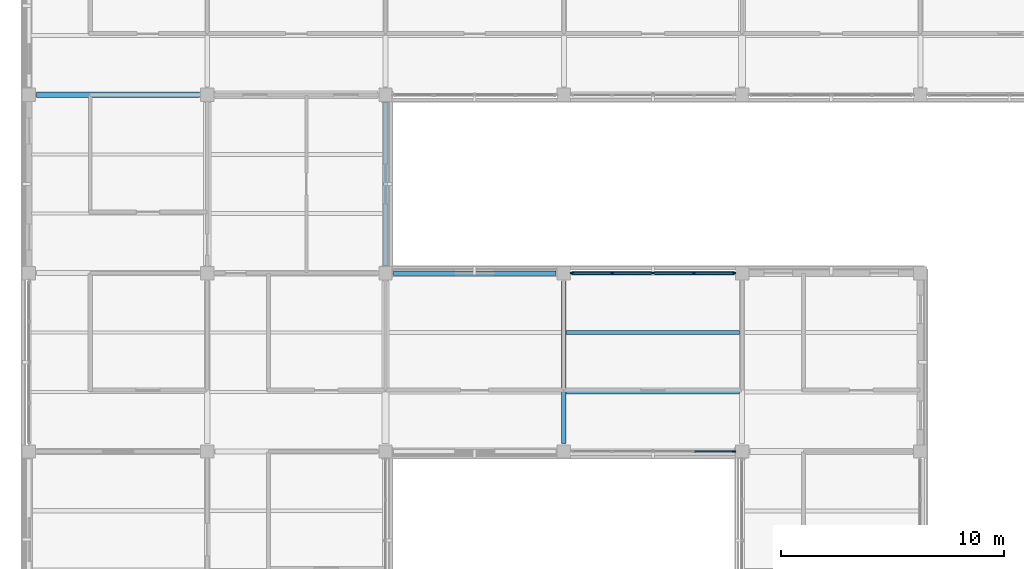
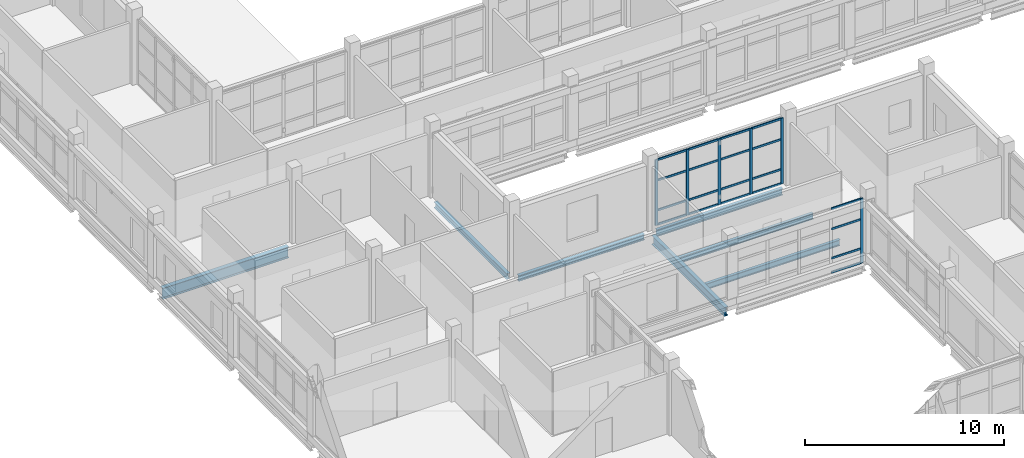
# One storey, part 14 of 121: 26 members, 7 beams, 2 elements without a shape of their own.
"""IFC4 building model written with IfcOpenShell, lengths in metres."""

from ifc_helpers import new_model, si_unit, derived_unit, direction, frame, origin, origin_2d, place, context, subcontext, project, spatial, rectangle, i_section, extrude, material, layer, layer_set, material_profile, profile_set, type_object, element, aggregate, save


model = new_model("IFC4")

# Units and contexts
model_context = context("Model", 3, precision=1e-05, world=origin(), true_north=direction((0.0, 1.0)))
body_context = subcontext(model_context, "Body", "Model", "MODEL_VIEW")
ifc_project = project(units=[si_unit("LENGTHUNIT", "METRE"), si_unit("AREAUNIT", "SQUARE_METRE"), si_unit("VOLUMEUNIT", "CUBIC_METRE"), si_unit("PLANEANGLEUNIT", "RADIAN"), si_unit("MASSUNIT", "GRAM", prefix="KILO"), derived_unit("THERMALTRANSMITTANCEUNIT", [(si_unit("MASSUNIT", "GRAM", prefix="KILO"), 1), (si_unit("TIMEUNIT", "SECOND"), -3), (si_unit("THERMODYNAMICTEMPERATUREUNIT", "KELVIN"), -1)])], contexts=[model_context])

# Site, building, storey
site_placement = place(None, origin())
site = spatial("IfcSite", under=ifc_project, at=site_placement, CompositionType="ELEMENT")
building_placement = place(site_placement, origin())
building = spatial("IfcBuilding", under=site, at=building_placement, Name="Veyamyaing Civic Hall", CompositionType="ELEMENT")
storey_placement = place(building_placement, frame((0.0, 0.0, 5.280029296875)))
storey = spatial("IfcBuildingStorey", under=building, at=storey_placement, Name="L01", CompositionType="ELEMENT", Elevation=5.280029296875)

# Beams
ifc_material_1 = material(Name="Steel ASTM A992", Category="steel")
ifc_material_profile_1 = material_profile(ifc_material_1, i_section(OverallWidth=0.2041015625, OverallDepth=0.35009765625, WebThickness=0.0078125, FlangeThickness=0.01513671875, FilletRadius=0.010009765625, at=origin_2d()), Name="W360X72")
ifc_profile_set_1 = profile_set([ifc_material_profile_1], Name="Steel ASTM A992")
beam_type_1 = type_object("IfcBeamType", Name="B-11", PredefinedType="SPANDREL", material=ifc_profile_set_1)
for number, where, z_axis, x_axis, name in (
    (1, (16.35009765625, 40.0, -0.419921875), (1.0, 0.0, 0.0), (0.0, 1.0, 0.0), "Girder B-11 L01 Grid F 3-4"),
    (2, (16.0, 40.35009765625, -0.419921875), (0.0, 1.0, 0.0), (-1.0, 0.0, 0.0), "Girder B-11 L01 Grid 3 F-G"),
):
    element("IfcBeam", number, at=place(storey_placement, frame(where, z_axis=z_axis, x_axis=x_axis)), inside=storey, type_object=beam_type_1, Name=name, PredefinedType="SPANDREL", context=body_context, shape_type="SweptSolid", body=[
        extrude(i_section(OverallWidth=0.2041015625, OverallDepth=0.35009765625, WebThickness=0.0078125, FlangeThickness=0.01513671875, FilletRadius=0.010009765625, at=origin_2d()), origin(), (0.0, 0.0, 1.0), 7.2998046875),
    ])
ifc_material_profile_2 = material_profile(ifc_material_1, i_section(OverallWidth=0.25390625, OverallDepth=0.68408203125, WebThickness=0.012451171875, FlangeThickness=0.01904296875, FilletRadius=0.013916015625, at=origin_2d()), Name="W690X140")
ifc_profile_set_2 = profile_set([ifc_material_profile_2], Name="Steel ASTM A992")
beam_type_2 = type_object("IfcBeamType", Name="B-14", PredefinedType="BEAM", material=ifc_profile_set_2)
beam_1_placement = place(storey_placement, frame((0.35009765625, 48.0, -0.5869140625), z_axis=(1.0, 0.0, 0.0), x_axis=(0.0, 1.0, 0.0)))
element("IfcBeam", 3, at=beam_1_placement, inside=storey, type_object=beam_type_2, Name="Girder B-14 L01 Grid G 1-2", PredefinedType="BEAM", context=body_context, shape_type="SweptSolid", body=[
    extrude(i_section(OverallWidth=0.25390625, OverallDepth=0.68408203125, WebThickness=0.012451171875, FlangeThickness=0.01904296875, FilletRadius=0.013916015625, at=origin_2d()), origin(), (0.0, 0.0, 1.0), 7.2998046875),
])
ifc_material_profile_3 = material_profile(ifc_material_1, i_section(OverallWidth=0.214111328125, OverallDepth=0.549072265625, WebThickness=0.0146484375, FlangeThickness=0.023681640625, FilletRadius=0.011962890625, at=origin_2d()), Name="W530X138")
ifc_profile_set_3 = profile_set([ifc_material_profile_3], Name="Steel ASTM A992")
beam_type_3 = type_object("IfcBeamType", Name="B-16", PredefinedType="BEAM", material=ifc_profile_set_3)
beam_2_placement = place(storey_placement, frame((24.0, 32.35009765625, -0.51953125), z_axis=(0.0, 1.0, 0.0), x_axis=(-1.0, 0.0, 0.0)))
element("IfcBeam", 4, at=beam_2_placement, inside=storey, type_object=beam_type_3, Name="Girder B-16 L01 Grid 4 E-F", PredefinedType="BEAM", context=body_context, shape_type="SweptSolid", body=[
    extrude(i_section(OverallWidth=0.214111328125, OverallDepth=0.549072265625, WebThickness=0.0146484375, FlangeThickness=0.023681640625, FilletRadius=0.011962890625, at=origin_2d()), origin(), (0.0, 0.0, 1.0), 7.2998046875),
])
ifc_material_profile_4 = material_profile(ifc_material_1, i_section(OverallWidth=0.180908203125, OverallDepth=0.4169921875, WebThickness=0.010986328125, FlangeThickness=0.018310546875, FilletRadius=0.010009765625, at=origin_2d()), Name="W410X85")
ifc_profile_set_4 = profile_set([ifc_material_profile_4], Name="Steel ASTM A992")
beam_type_4 = type_object("IfcBeamType", Name="B-19", PredefinedType="SPANDREL", material=ifc_profile_set_4)
beam_3_placement = place(storey_placement, frame((24.35009765625, 40.0, -0.45361328125), z_axis=(1.0, 0.0, 0.0), x_axis=(0.0, 1.0, 0.0)))
element("IfcBeam", 5, at=beam_3_placement, inside=storey, type_object=beam_type_4, Name="Girder B-19 L01 Grid F 4-5", PredefinedType="SPANDREL", context=body_context, shape_type="SweptSolid", body=[
    extrude(i_section(OverallWidth=0.180908203125, OverallDepth=0.4169921875, WebThickness=0.010986328125, FlangeThickness=0.018310546875, FilletRadius=0.010009765625, at=origin_2d()), origin(), (0.0, 0.0, 1.0), 7.2998046875),
])

# Curtain wall, member
ifc_material_2 = material(Name="Anodised aluminium 6063-T6", Category="aluminium")
ifc_layer = layer(ifc_material_2, 0.159912109375, Name="Anodised aluminium 6063-T6")
ifc_layer_set = layer_set([ifc_layer], Name="Anodised aluminium 6063-T6")
curtain_wall_type = type_object("IfcCurtainWallType", Name="CW-02", PredefinedType="NOTDEFINED", material=ifc_layer_set)
curtain_wall_1_placement = place(storey_placement, origin())
curtain_wall_1 = element("IfcCurtainWall", 6, at=curtain_wall_1_placement, inside=storey, type_object=curtain_wall_type, Name="Unitized curtain wall CW-02 L01 S 4.5", PredefinedType="NOTDEFINED")
ifc_material_profile_5 = material_profile(ifc_material_2, rectangle(XDim=0.06494140625, YDim=0.159912109375, at=origin_2d()), Name="ALU-MUL-65X160")
ifc_profile_set_5 = profile_set([ifc_material_profile_5], Name="Anodised aluminium 6063-T6")
member_type_1 = type_object("IfcMemberType", Name="CWM-01", PredefinedType="MULLION", material=ifc_profile_set_5)
member_1_placement = place(storey_placement, frame((31.637451171875, 32.0, 0.0), z_axis=(0.0, 0.0, 1.0), x_axis=(0.0, 1.0, 0.0)))
member_1 = element("IfcMember", 7, at=member_1_placement, type_object=member_type_1, Name="CW-02 mullion 5", PredefinedType="MULLION", context=body_context, shape_type="SweptSolid", body=[
    extrude(rectangle(XDim=0.06494140625, YDim=0.159912109375, at=origin_2d()), origin(), (0.0, 0.0, 1.0), 3.955078125),
])

# Curtain wall, members
curtain_wall_2_placement = place(storey_placement, origin())
curtain_wall_2 = element("IfcCurtainWall", 8, at=curtain_wall_2_placement, inside=storey, type_object=curtain_wall_type, Name="Unitized curtain wall CW-02 L01 N 4.5", PredefinedType="NOTDEFINED")
member_2_placement = place(storey_placement, frame((24.362548828125, 40.0, 0.0), z_axis=(0.0, 0.0, 1.0), x_axis=(0.0, 1.0, 0.0)))
member_2 = element("IfcMember", 9, at=member_2_placement, type_object=member_type_1, Name="CW-02 mullion 1", PredefinedType="MULLION", context=body_context, shape_type="SweptSolid", body=[
    extrude(rectangle(XDim=0.06494140625, YDim=0.159912109375, at=origin_2d()), origin(), (0.0, 0.0, 1.0), 4.01904296875),
])
member_3_placement = place(storey_placement, frame((26.1650390625, 40.0, 0.0), z_axis=(0.0, 0.0, 1.0), x_axis=(0.0, 1.0, 0.0)))
member_3 = element("IfcMember", 10, at=member_3_placement, type_object=member_type_1, Name="CW-02 mullion 2", PredefinedType="MULLION", context=body_context, shape_type="SweptSolid", body=[
    extrude(rectangle(XDim=0.06494140625, YDim=0.159912109375, at=origin_2d()), origin(), (0.0, 0.0, 1.0), 4.01904296875),
])
member_4_placement = place(storey_placement, frame((28.0, 40.0, 0.0), z_axis=(0.0, 0.0, 1.0), x_axis=(0.0, 1.0, 0.0)))
member_4 = element("IfcMember", 11, at=member_4_placement, type_object=member_type_1, Name="CW-02 mullion 3", PredefinedType="MULLION", context=body_context, shape_type="SweptSolid", body=[
    extrude(rectangle(XDim=0.06494140625, YDim=0.159912109375, at=origin_2d()), origin(), (0.0, 0.0, 1.0), 4.01904296875),
])
member_5_placement = place(storey_placement, frame((29.8349609375, 40.0, 0.0), z_axis=(0.0, 0.0, 1.0), x_axis=(0.0, 1.0, 0.0)))
member_5 = element("IfcMember", 12, at=member_5_placement, type_object=member_type_1, Name="CW-02 mullion 4", PredefinedType="MULLION", context=body_context, shape_type="SweptSolid", body=[
    extrude(rectangle(XDim=0.06494140625, YDim=0.159912109375, at=origin_2d()), origin(), (0.0, 0.0, 1.0), 4.01904296875),
])
member_6_placement = place(storey_placement, frame((31.637451171875, 40.0, 0.0), z_axis=(0.0, 0.0, 1.0), x_axis=(0.0, 1.0, 0.0)))
member_6 = element("IfcMember", 13, at=member_6_placement, type_object=member_type_1, Name="CW-02 mullion 5", PredefinedType="MULLION", context=body_context, shape_type="SweptSolid", body=[
    extrude(rectangle(XDim=0.06494140625, YDim=0.159912109375, at=origin_2d()), origin(), (0.0, 0.0, 1.0), 4.01904296875),
])

# Member
ifc_material_profile_6 = material_profile(ifc_material_2, rectangle(XDim=0.06494140625, YDim=0.1201171875, at=origin_2d()), Name="ALU-TRN-65X120")
ifc_profile_set_6 = profile_set([ifc_material_profile_6], Name="Anodised aluminium 6063-T6")
member_type_2 = type_object("IfcMemberType", Name="CWT-01", PredefinedType="USERDEFINED", material=ifc_profile_set_6)
member_7_placement = place(storey_placement, frame((29.867431640625, 32.0, 0.032470703125), z_axis=(1.0, 0.0, 0.0), x_axis=(0.0, 1.0, 0.0)))
member_7 = element("IfcMember", 14, at=member_7_placement, type_object=member_type_2, Name="CW-02 transom 4.1", ObjectType="TRANSOM", PredefinedType="USERDEFINED", context=body_context, shape_type="SweptSolid", body=[
    extrude(rectangle(XDim=0.06494140625, YDim=0.1201171875, at=origin_2d()), origin(), (0.0, 0.0, 1.0), 1.737548828125),
])

member_8_placement = place(storey_placement, frame((29.867431640625, 32.0, 0.89990234375), z_axis=(1.0, 0.0, 0.0), x_axis=(0.0, 1.0, 0.0)))
member_8 = element("IfcMember", 15, at=member_8_placement, type_object=member_type_2, Name="CW-02 transom 4.2", ObjectType="TRANSOM", PredefinedType="USERDEFINED", context=body_context, shape_type="SweptSolid", body=[
    extrude(rectangle(XDim=0.06494140625, YDim=0.1201171875, at=origin_2d()), origin(), (0.0, 0.0, 1.0), 1.737548828125),
])

member_9_placement = place(storey_placement, frame((29.867431640625, 32.0, 2.689453125), z_axis=(1.0, 0.0, 0.0), x_axis=(0.0, 1.0, 0.0)))
member_9 = element("IfcMember", 16, at=member_9_placement, type_object=member_type_2, Name="CW-02 transom 4.3", ObjectType="TRANSOM", PredefinedType="USERDEFINED", context=body_context, shape_type="SweptSolid", body=[
    extrude(rectangle(XDim=0.06494140625, YDim=0.1201171875, at=origin_2d()), origin(), (0.0, 0.0, 1.0), 1.737548828125),
])

member_10_placement = place(storey_placement, frame((29.867431640625, 32.0, 3.92236328125), z_axis=(1.0, 0.0, 0.0), x_axis=(0.0, 1.0, 0.0)))
member_10 = element("IfcMember", 17, at=member_10_placement, type_object=member_type_2, Name="CW-02 transom 4.4", ObjectType="TRANSOM", PredefinedType="USERDEFINED", context=body_context, shape_type="SweptSolid", body=[
    extrude(rectangle(XDim=0.06494140625, YDim=0.1201171875, at=origin_2d()), origin(), (0.0, 0.0, 1.0), 1.737548828125),
])

aggregate(curtain_wall_1, [member_1, member_7, member_8, member_9, member_10])

member_11_placement = place(storey_placement, frame((24.39501953125, 40.0, 0.032470703125), z_axis=(1.0, 0.0, 0.0), x_axis=(0.0, 1.0, 0.0)))
member_11 = element("IfcMember", 18, at=member_11_placement, type_object=member_type_2, Name="CW-02 transom 1.1", ObjectType="TRANSOM", PredefinedType="USERDEFINED", context=body_context, shape_type="SweptSolid", body=[
    extrude(rectangle(XDim=0.06494140625, YDim=0.1201171875, at=origin_2d()), origin(), (0.0, 0.0, 1.0), 1.737548828125),
])

member_12_placement = place(storey_placement, frame((24.39501953125, 40.0, 0.89990234375), z_axis=(1.0, 0.0, 0.0), x_axis=(0.0, 1.0, 0.0)))
member_12 = element("IfcMember", 19, at=member_12_placement, type_object=member_type_2, Name="CW-02 transom 1.2", ObjectType="TRANSOM", PredefinedType="USERDEFINED", context=body_context, shape_type="SweptSolid", body=[
    extrude(rectangle(XDim=0.06494140625, YDim=0.1201171875, at=origin_2d()), origin(), (0.0, 0.0, 1.0), 1.737548828125),
])

member_13_placement = place(storey_placement, frame((24.39501953125, 40.0, 2.73291015625), z_axis=(1.0, 0.0, 0.0), x_axis=(0.0, 1.0, 0.0)))
member_13 = element("IfcMember", 20, at=member_13_placement, type_object=member_type_2, Name="CW-02 transom 1.3", ObjectType="TRANSOM", PredefinedType="USERDEFINED", context=body_context, shape_type="SweptSolid", body=[
    extrude(rectangle(XDim=0.06494140625, YDim=0.1201171875, at=origin_2d()), origin(), (0.0, 0.0, 1.0), 1.737548828125),
])

member_14_placement = place(storey_placement, frame((24.39501953125, 40.0, 3.986572265625), z_axis=(1.0, 0.0, 0.0), x_axis=(0.0, 1.0, 0.0)))
member_14 = element("IfcMember", 21, at=member_14_placement, type_object=member_type_2, Name="CW-02 transom 1.4", ObjectType="TRANSOM", PredefinedType="USERDEFINED", context=body_context, shape_type="SweptSolid", body=[
    extrude(rectangle(XDim=0.06494140625, YDim=0.1201171875, at=origin_2d()), origin(), (0.0, 0.0, 1.0), 1.737548828125),
])

member_15_placement = place(storey_placement, frame((26.197509765625, 40.0, 0.032470703125), z_axis=(1.0, 0.0, 0.0), x_axis=(0.0, 1.0, 0.0)))
member_15 = element("IfcMember", 22, at=member_15_placement, type_object=member_type_2, Name="CW-02 transom 2.1", ObjectType="TRANSOM", PredefinedType="USERDEFINED", context=body_context, shape_type="SweptSolid", body=[
    extrude(rectangle(XDim=0.06494140625, YDim=0.1201171875, at=origin_2d()), origin(), (0.0, 0.0, 1.0), 1.77001953125),
])

member_16_placement = place(storey_placement, frame((26.197509765625, 40.0, 0.89990234375), z_axis=(1.0, 0.0, 0.0), x_axis=(0.0, 1.0, 0.0)))
member_16 = element("IfcMember", 23, at=member_16_placement, type_object=member_type_2, Name="CW-02 transom 2.2", ObjectType="TRANSOM", PredefinedType="USERDEFINED", context=body_context, shape_type="SweptSolid", body=[
    extrude(rectangle(XDim=0.06494140625, YDim=0.1201171875, at=origin_2d()), origin(), (0.0, 0.0, 1.0), 1.77001953125),
])

member_17_placement = place(storey_placement, frame((26.197509765625, 40.0, 2.73291015625), z_axis=(1.0, 0.0, 0.0), x_axis=(0.0, 1.0, 0.0)))
member_17 = element("IfcMember", 24, at=member_17_placement, type_object=member_type_2, Name="CW-02 transom 2.3", ObjectType="TRANSOM", PredefinedType="USERDEFINED", context=body_context, shape_type="SweptSolid", body=[
    extrude(rectangle(XDim=0.06494140625, YDim=0.1201171875, at=origin_2d()), origin(), (0.0, 0.0, 1.0), 1.77001953125),
])

member_18_placement = place(storey_placement, frame((26.197509765625, 40.0, 3.986572265625), z_axis=(1.0, 0.0, 0.0), x_axis=(0.0, 1.0, 0.0)))
member_18 = element("IfcMember", 25, at=member_18_placement, type_object=member_type_2, Name="CW-02 transom 2.4", ObjectType="TRANSOM", PredefinedType="USERDEFINED", context=body_context, shape_type="SweptSolid", body=[
    extrude(rectangle(XDim=0.06494140625, YDim=0.1201171875, at=origin_2d()), origin(), (0.0, 0.0, 1.0), 1.77001953125),
])

member_19_placement = place(storey_placement, frame((28.032470703125, 40.0, 0.032470703125), z_axis=(1.0, 0.0, 0.0), x_axis=(0.0, 1.0, 0.0)))
member_19 = element("IfcMember", 26, at=member_19_placement, type_object=member_type_2, Name="CW-02 transom 3.1", ObjectType="TRANSOM", PredefinedType="USERDEFINED", context=body_context, shape_type="SweptSolid", body=[
    extrude(rectangle(XDim=0.06494140625, YDim=0.1201171875, at=origin_2d()), origin(), (0.0, 0.0, 1.0), 1.77001953125),
])

member_20_placement = place(storey_placement, frame((28.032470703125, 40.0, 0.89990234375), z_axis=(1.0, 0.0, 0.0), x_axis=(0.0, 1.0, 0.0)))
member_20 = element("IfcMember", 27, at=member_20_placement, type_object=member_type_2, Name="CW-02 transom 3.2", ObjectType="TRANSOM", PredefinedType="USERDEFINED", context=body_context, shape_type="SweptSolid", body=[
    extrude(rectangle(XDim=0.06494140625, YDim=0.1201171875, at=origin_2d()), origin(), (0.0, 0.0, 1.0), 1.77001953125),
])

member_21_placement = place(storey_placement, frame((28.032470703125, 40.0, 2.73291015625), z_axis=(1.0, 0.0, 0.0), x_axis=(0.0, 1.0, 0.0)))
member_21 = element("IfcMember", 28, at=member_21_placement, type_object=member_type_2, Name="CW-02 transom 3.3", ObjectType="TRANSOM", PredefinedType="USERDEFINED", context=body_context, shape_type="SweptSolid", body=[
    extrude(rectangle(XDim=0.06494140625, YDim=0.1201171875, at=origin_2d()), origin(), (0.0, 0.0, 1.0), 1.77001953125),
])

member_22_placement = place(storey_placement, frame((28.032470703125, 40.0, 3.986572265625), z_axis=(1.0, 0.0, 0.0), x_axis=(0.0, 1.0, 0.0)))
member_22 = element("IfcMember", 29, at=member_22_placement, type_object=member_type_2, Name="CW-02 transom 3.4", ObjectType="TRANSOM", PredefinedType="USERDEFINED", context=body_context, shape_type="SweptSolid", body=[
    extrude(rectangle(XDim=0.06494140625, YDim=0.1201171875, at=origin_2d()), origin(), (0.0, 0.0, 1.0), 1.77001953125),
])

member_23_placement = place(storey_placement, frame((29.867431640625, 40.0, 0.032470703125), z_axis=(1.0, 0.0, 0.0), x_axis=(0.0, 1.0, 0.0)))
member_23 = element("IfcMember", 30, at=member_23_placement, type_object=member_type_2, Name="CW-02 transom 4.1", ObjectType="TRANSOM", PredefinedType="USERDEFINED", context=body_context, shape_type="SweptSolid", body=[
    extrude(rectangle(XDim=0.06494140625, YDim=0.1201171875, at=origin_2d()), origin(), (0.0, 0.0, 1.0), 1.737548828125),
])

member_24_placement = place(storey_placement, frame((29.867431640625, 40.0, 0.89990234375), z_axis=(1.0, 0.0, 0.0), x_axis=(0.0, 1.0, 0.0)))
member_24 = element("IfcMember", 31, at=member_24_placement, type_object=member_type_2, Name="CW-02 transom 4.2", ObjectType="TRANSOM", PredefinedType="USERDEFINED", context=body_context, shape_type="SweptSolid", body=[
    extrude(rectangle(XDim=0.06494140625, YDim=0.1201171875, at=origin_2d()), origin(), (0.0, 0.0, 1.0), 1.737548828125),
])

member_25_placement = place(storey_placement, frame((29.867431640625, 40.0, 2.73291015625), z_axis=(1.0, 0.0, 0.0), x_axis=(0.0, 1.0, 0.0)))
member_25 = element("IfcMember", 32, at=member_25_placement, type_object=member_type_2, Name="CW-02 transom 4.3", ObjectType="TRANSOM", PredefinedType="USERDEFINED", context=body_context, shape_type="SweptSolid", body=[
    extrude(rectangle(XDim=0.06494140625, YDim=0.1201171875, at=origin_2d()), origin(), (0.0, 0.0, 1.0), 1.737548828125),
])

member_26_placement = place(storey_placement, frame((29.867431640625, 40.0, 3.986572265625), z_axis=(1.0, 0.0, 0.0), x_axis=(0.0, 1.0, 0.0)))
member_26 = element("IfcMember", 33, at=member_26_placement, type_object=member_type_2, Name="CW-02 transom 4.4", ObjectType="TRANSOM", PredefinedType="USERDEFINED", context=body_context, shape_type="SweptSolid", body=[
    extrude(rectangle(XDim=0.06494140625, YDim=0.1201171875, at=origin_2d()), origin(), (0.0, 0.0, 1.0), 1.737548828125),
])

aggregate(curtain_wall_2, [member_2, member_3, member_4, member_5, member_6, member_11, member_12, member_13, member_14, member_15, member_16, member_17, member_18, member_19, member_20, member_21, member_22, member_23, member_24, member_25, member_26])

# Beams
ifc_material_profile_7 = material_profile(ifc_material_1, i_section(OverallWidth=0.172119140625, OverallDepth=0.35791015625, WebThickness=0.0078125, FlangeThickness=0.01318359375, FilletRadius=0.010009765625, at=origin_2d()), Name="W360X57")
ifc_profile_set_7 = profile_set([ifc_material_profile_7], Name="Steel ASTM A992")
beam_type_5 = type_object("IfcBeamType", Name="J-02", PredefinedType="JOIST", material=ifc_profile_set_7)
for number, where, z_axis, x_axis, name in (
    (34, (24.10498046875, 34.666748046875, -0.424072265625), (1.0, 0.0, 0.0), (0.0, 1.0, 0.0), "Composite floor joist J-02 L01 4.5.1"),
    (35, (24.10498046875, 37.333251953125, -0.424072265625), (1.0, 0.0, 0.0), (0.0, 1.0, 0.0), "Composite floor joist J-02 L01 4.5.2"),
):
    element("IfcBeam", number, at=place(storey_placement, frame(where, z_axis=z_axis, x_axis=x_axis)), inside=storey, type_object=beam_type_5, Name=name, PredefinedType="JOIST", context=body_context, shape_type="SweptSolid", body=[
        extrude(i_section(OverallWidth=0.172119140625, OverallDepth=0.35791015625, WebThickness=0.0078125, FlangeThickness=0.01318359375, FilletRadius=0.010009765625, at=origin_2d()), origin(), (0.0, 0.0, 1.0), 7.781982421875),
    ])

save(model, "model.ifc")
